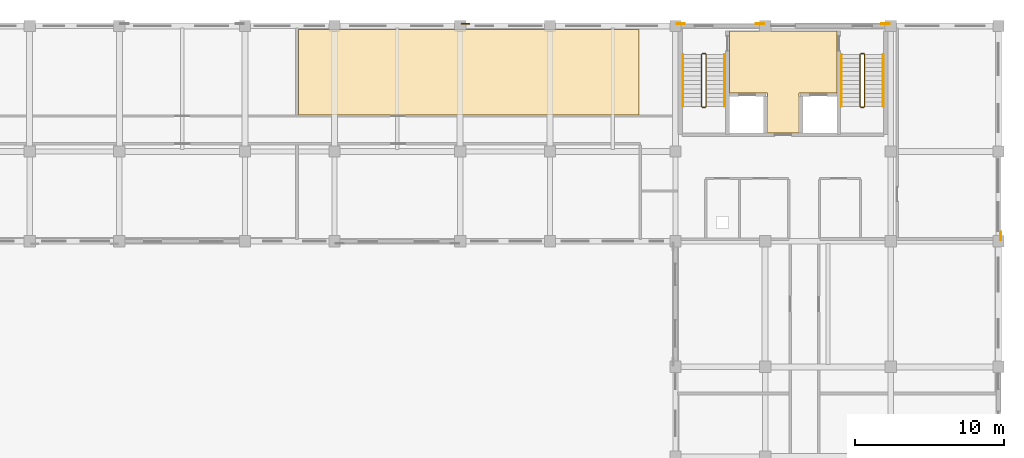
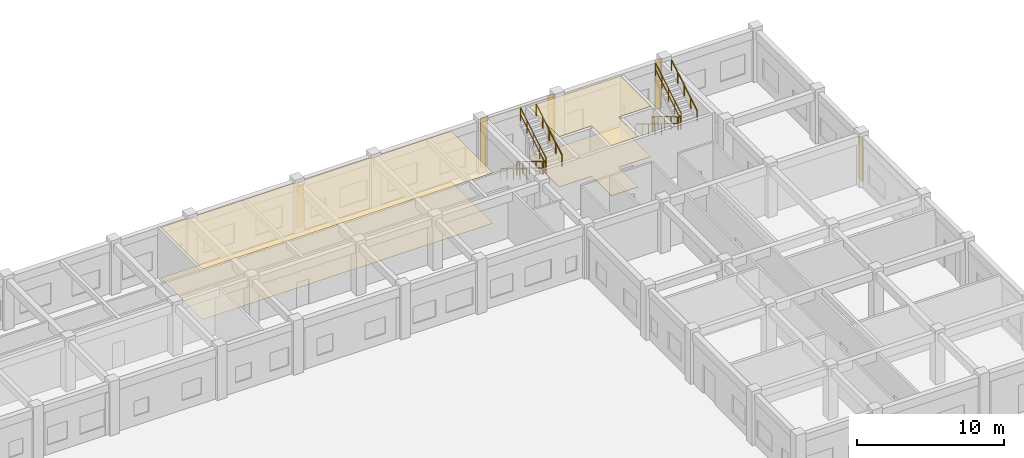
# One storey, part 66 of 67: 12 railings, 9 coverings.
"""IFC4 building model written with IfcOpenShell, lengths in metres."""

import ifcopenshell
import ifcopenshell.guid

model = None  # the IFC model being written
_history = None  # IfcOwnerHistory: only IFC2X3 demands one
_inside = {}  # id of a spatial element -> (the spatial element, [elements in it])
_under = {}  # id of a project, library or spatial element -> (it, [spatial elements below it])
_declared = {}  # id of a project -> (the project, [libraries it declares])
_typed = {}  # id of a type object -> (the type object, [elements of that type])
_made_of = {}  # id of a material, layer set ... -> (it, [elements and type objects made of it])


def new_model(schema):
    """Start an empty IFC model of exactly this schema.

    Asked for "IFC4X3", IfcOpenShell would pick the latest addendum, in which some entities
    have other attributes; the version numbers below select the first issue.
    IFC2X3 requires an IfcOwnerHistory on every rooted entity: one is made here for all.
    """
    global model, _history
    if schema == "IFC4X3":
        model = ifcopenshell.file(schema_version=(4, 3, 0, 0))
    else:
        model = ifcopenshell.file(schema=schema)
    _inside.clear()
    _under.clear()
    _declared.clear()
    _typed.clear()
    _made_of.clear()
    _history = None
    if model.schema == "IFC2X3":
        org = make("IfcOrganization", Name="unknown")
        user = make(
            "IfcPersonAndOrganization",
            ThePerson=make("IfcPerson", FamilyName="unknown"),
            TheOrganization=org,
        )
        app = make(
            "IfcApplication",
            ApplicationDeveloper=org,
            Version="unknown",
            ApplicationFullName="unknown",
            ApplicationIdentifier="unknown",
        )
        _history = make(
            "IfcOwnerHistory",
            OwningUser=user,
            OwningApplication=app,
            ChangeAction="ADDED",
            CreationDate=0,
        )
    return model


def make(cls, **values):
    """One entity of the class cls with the attributes given. An attribute that is None is left unset."""
    return model.create_entity(
        cls, **{name: value for name, value in values.items() if value is not None}
    )


def rooted(cls, **values):
    """An entity with a GlobalId (a new one), such as an element, a storey or a relation."""
    return make(cls, GlobalId=ifcopenshell.guid.new(), OwnerHistory=_history, **values)


def si_unit(unit_type, name, prefix=None):
    """IfcSIUnit, for example si_unit("LENGTHUNIT", "METRE", prefix="MILLI")."""
    return make("IfcSIUnit", UnitType=unit_type, Prefix=prefix, Name=name)


def assignment(units):
    """IfcUnitAssignment: the units of a project."""
    return None if units is None else make("IfcUnitAssignment", Units=units)


def point(xyz):
    """IfcCartesianPoint."""
    return None if xyz is None else make("IfcCartesianPoint", Coordinates=xyz)


def direction(xyz):
    """IfcDirection."""
    return None if xyz is None else make("IfcDirection", DirectionRatios=xyz)


def frame(location, z_axis=None, x_axis=None):
    """IfcAxis2Placement3D, a coordinate frame: its origin and axes. An axis left out is left unset."""
    return make(
        "IfcAxis2Placement3D",
        Location=point(location),
        Axis=direction(z_axis),
        RefDirection=direction(x_axis),
    )


def frame_2d(location, x_axis=None):
    """IfcAxis2Placement2D, a coordinate frame in the plane: its origin and x axis."""
    return make(
        "IfcAxis2Placement2D", Location=point(location), RefDirection=direction(x_axis)
    )


def origin():
    """The frame at (0, 0, 0) with its axes left unset."""
    return frame((0.0, 0.0, 0.0))


def origin_2d():
    """The frame at (0, 0) in the plane with its x axis left unset."""
    return frame_2d((0.0, 0.0))


def place(relative_to, where):
    """IfcLocalPlacement: puts the frame where relative to a parent placement (None: the world)."""
    return make(
        "IfcLocalPlacement", PlacementRelTo=relative_to, RelativePlacement=where
    )


def context(
    kind, dimensions, precision=None, world=None, true_north=None, identifier=None
):
    """IfcGeometricRepresentationContext, for example the 3D "Model" context."""
    return make(
        "IfcGeometricRepresentationContext",
        ContextIdentifier=identifier,
        ContextType=kind,
        CoordinateSpaceDimension=dimensions,
        Precision=precision,
        WorldCoordinateSystem=world,
        TrueNorth=true_north,
    )


def subcontext(parent, identifier, kind, view, scale=None):
    """IfcGeometricRepresentationSubContext, for example "Body" below "Model"."""
    return make(
        "IfcGeometricRepresentationSubContext",
        ContextIdentifier=identifier,
        ContextType=kind,
        ParentContext=parent,
        TargetScale=scale,
        TargetView=view,
    )


def project(units=None, contexts=None):
    """IfcProject with its units and contexts."""
    return rooted(
        "IfcProject",
        Name="project",
        RepresentationContexts=contexts,
        UnitsInContext=assignment(units),
    )


def spatial(cls, under=None, at=None, **own):
    """A site, building, storey or space (cls), placed at a placement, below another one or the project."""
    s = rooted(cls, ObjectPlacement=at, **own)
    if under is not None:
        _under.setdefault(under.id(), (under, []))[1].append(s)
    return s


def polyline(points):
    """IfcPolyline through the points."""
    return make("IfcPolyline", Points=[point(p) for p in points])


def profile(cls, at=None, kind="AREA", **sizes):
    """A parametric profile (cls). Its sizes go by their IFC names, for example OverallWidth=200.0."""
    return make(cls, ProfileType=kind, Position=at, **sizes)


def rectangle(**sizes):
    """IfcRectangleProfileDef."""
    return profile("IfcRectangleProfileDef", **sizes)


def outline(outer, holes=None, kind="AREA"):
    """IfcArbitraryClosedProfileDef: a profile drawn as a closed curve; with holes, ...WithVoids."""
    if holes is None:
        return make("IfcArbitraryClosedProfileDef", ProfileType=kind, OuterCurve=outer)
    return make(
        "IfcArbitraryProfileDefWithVoids",
        ProfileType=kind,
        OuterCurve=outer,
        InnerCurves=holes,
    )


def extrude(swept, where, along, depth):
    """IfcExtrudedAreaSolid: the profile swept, set in the frame where, extruded along a direction by depth."""
    return make(
        "IfcExtrudedAreaSolid",
        SweptArea=swept,
        Position=where,
        ExtrudedDirection=direction(along),
        Depth=depth,
    )


def shape(context_of_items, identifier, shape_type, items):
    """IfcShapeRepresentation: the items that make up one representation, for example the "Body"."""
    return make(
        "IfcShapeRepresentation",
        ContextOfItems=context_of_items,
        RepresentationIdentifier=identifier,
        RepresentationType=shape_type,
        Items=items,
    )


def material(Name=None, Category=None):
    """IfcMaterial."""
    return make("IfcMaterial", Name=Name, Category=Category)


def layer(
    of_material, thickness, ventilated=None, Name=None, Category=None, Priority=None
):
    """IfcMaterialLayer: one layer of a wall or slab, of a material (None: an air gap)."""
    return make(
        "IfcMaterialLayer",
        Material=of_material,
        LayerThickness=thickness,
        IsVentilated=ventilated,
        Name=Name,
        Category=Category,
        Priority=Priority,
    )


def layer_set(layers, Name=None):
    """IfcMaterialLayerSet."""
    return make("IfcMaterialLayerSet", MaterialLayers=layers, LayerSetName=Name)


def made_of(thing, what):
    """Note that an element or type object is made of a material, layer set ...; save() writes the relation."""
    if what is not None:
        _made_of.setdefault(what.id(), (what, []))[1].append(thing)
    return thing


def type_object(cls, material=None, **own):
    """A type object (cls), such as IfcWallType, which elements share."""
    return made_of(rooted(cls, **own), material)


def element(
    cls,
    number,
    at=None,
    inside=None,
    cuts=None,
    type_object=None,
    material=None,
    context=None,
    identifier="Body",
    shape_type=None,
    held_by="IfcProductDefinitionShape",
    body=None,
    shapes=None,
    **own,
):
    """One element of the class cls, such as IfcWall. Its Tag is "e" and its number.

    at: its placement. inside: the storey or other place that contains it. cuts: it is an
    opening in that element (IfcRelVoidsElement). A single representation is given by context,
    identifier, shape_type and body (its items); several are given by shapes. held_by: the class
    of the entity that holds the representations. save() writes the other relations.
    """
    e = rooted(cls, Tag="e%d" % number, ObjectPlacement=at, **own)
    if body is not None:
        shapes = [shape(context, identifier, shape_type, body)]
    if shapes is not None:
        e.Representation = make(held_by, Representations=shapes)
    if inside is not None:
        _inside.setdefault(inside.id(), (inside, []))[1].append(e)
    if cuts is not None:
        rooted(
            "IfcRelVoidsElement", RelatingBuildingElement=cuts, RelatedOpeningElement=e
        )
    if type_object is not None:
        _typed.setdefault(type_object.id(), (type_object, []))[1].append(e)
    return made_of(e, material)


def aggregate(whole, parts):
    """IfcRelAggregates: a whole, such as a stair, and the parts it consists of."""
    return rooted("IfcRelAggregates", RelatingObject=whole, RelatedObjects=parts)


def save(model, path):
    """Write the relations noted so far, then the file.

    IfcRelAggregates (storeys below a building ...), IfcRelContainedInSpatialStructure (elements
    in a storey), IfcRelDefinesByType, IfcRelAssociatesMaterial and IfcRelDeclares: one each for
    every whole, place, type object, material and project.
    """
    for whole, parts in _under.values():
        aggregate(whole, parts)
    for where, things in _inside.values():
        rooted(
            "IfcRelContainedInSpatialStructure",
            RelatedElements=things,
            RelatingStructure=where,
        )
    for kind, things in _typed.values():
        rooted("IfcRelDefinesByType", RelatedObjects=things, RelatingType=kind)
    for what, things in _made_of.values():
        rooted("IfcRelAssociatesMaterial", RelatedObjects=things, RelatingMaterial=what)
    for by, libraries in _declared.values():
        rooted("IfcRelDeclares", RelatingContext=by, RelatedDefinitions=libraries)
    model.write(path)


model = new_model("IFC4")

# Units and contexts
model_context = context("Model", 3, precision=1e-05, world=origin(), true_north=direction((0.0, 1.0)))
body_context = subcontext(model_context, "Body", "Model", "MODEL_VIEW")
ifc_project = project(units=[si_unit("LENGTHUNIT", "METRE"), si_unit("AREAUNIT", "SQUARE_METRE"), si_unit("VOLUMEUNIT", "CUBIC_METRE"), si_unit("PLANEANGLEUNIT", "RADIAN"), si_unit("MASSUNIT", "GRAM", prefix="KILO"), si_unit("THERMODYNAMICTEMPERATUREUNIT", "KELVIN")], contexts=[model_context])

# Site, building, storey
site_placement = place(None, origin())
site = spatial("IfcSite", under=ifc_project, at=site_placement, CompositionType="ELEMENT")
building_placement = place(site_placement, origin())
building = spatial("IfcBuilding", under=site, at=building_placement, Name="Thalorik Housing Commons", CompositionType="ELEMENT")
storey_placement = place(building_placement, origin())
storey = spatial("IfcBuildingStorey", under=building, at=storey_placement, Name="L00", CompositionType="ELEMENT", Elevation=0.0)

# Coverings
ifc_material_1 = material(Name="Cobalt blue glazed ceramic facade tile panel", Category="masonry")
ifc_layer_1 = layer(ifc_material_1, 0.06005859375, Name="Cobalt blue glazed ceramic facade tile panel", Category="masonry")
ifc_layer_set_1 = layer_set([ifc_layer_1], Name="Cobalt blue glazed ceramic facade tile panel")
covering_type_1 = type_object("IfcCoveringType", Name="ARC-CLD-BLU-60", PredefinedType="CLADDING", material=ifc_layer_set_1)
for number, where, z_axis, x_axis, name in (
    (1, (158.050048828125, 123.74951171875, 0.050048828125), (0.0, 0.0, 1.0), (-1.0, 0.0, 0.0), "L00 Architectural Facade Cladding 1476"),
    (2, (152.75, 123.74951171875, 0.050048828125), (0.0, 0.0, 1.0), (-1.0, 0.0, 0.0), "L00 Architectural Facade Cladding 1477"),
):
    element("IfcCovering", number, at=place(storey_placement, frame(where, z_axis=z_axis, x_axis=x_axis)), inside=storey, type_object=covering_type_1, Name=name, PredefinedType="CLADDING", context=body_context, shape_type="SweptSolid", body=[
        extrude(rectangle(XDim=0.550048828125, YDim=0.06005859375, at=origin_2d()), origin(), (0.0, 0.0, 1.0), 4.10009765625),
    ])
ifc_material_2 = material(Name="Precast concrete C40/50", Category="concrete")
ifc_layer_2 = layer(ifc_material_2, 0.074951171875, Name="Precast concrete C40/50", Category="concrete")
ifc_layer_set_2 = layer_set([ifc_layer_2], Name="Precast concrete C40/50")
covering_type_2 = type_object("IfcCoveringType", Name="ARC-CLD-PIER-75", PredefinedType="CLADDING", material=ifc_layer_set_2)
covering_1_placement = place(storey_placement, frame((138.35009765625, 123.757080078125, 0.0498046875), z_axis=(0.0, 0.0, 1.0), x_axis=(-1.0, 0.0, 0.0)))
element("IfcCovering", 3, at=covering_1_placement, inside=storey, type_object=covering_type_2, Name="L00 Architectural Facade Cladding 1478", PredefinedType="CLADDING", context=body_context, shape_type="SweptSolid", body=[
    extrude(rectangle(XDim=0.550048828125, YDim=0.074951171875, at=origin_2d()), origin(), (0.0, 0.0, 1.0), 3.485107421875),
])
ifc_material_3 = material(Name="Terracotta red mineral fibre-cement panel", Category="masonry")
ifc_layer_3 = layer(ifc_material_3, 0.054931640625, Name="Terracotta red mineral fibre-cement panel", Category="masonry")
ifc_layer_set_3 = layer_set([ifc_layer_3], Name="Terracotta red mineral fibre-cement panel")
covering_type_3 = type_object("IfcCoveringType", Name="ARC-CLD-RED-55", PredefinedType="CLADDING", material=ifc_layer_set_3)
covering_2_placement = place(storey_placement, frame((166.449951171875, 123.7470703125, 0.050048828125), z_axis=(0.0, 0.0, 1.0), x_axis=(-1.0, 0.0, 0.0)))
element("IfcCovering", 4, at=covering_2_placement, inside=storey, type_object=covering_type_3, Name="L00 Architectural Facade Cladding 1475", PredefinedType="CLADDING", context=body_context, shape_type="SweptSolid", body=[
    extrude(rectangle(XDim=0.550048828125, YDim=0.054931640625, at=origin_2d()), origin(), (0.0, 0.0, 1.0), 4.10009765625),
])
ifc_material_4 = material(Name="Mineral ochre architectural terracotta panel", Category="masonry")
ifc_layer_4 = layer(ifc_material_4, 0.06494140625, Name="Mineral ochre architectural terracotta panel", Category="masonry")
ifc_layer_set_4 = layer_set([ifc_layer_4], Name="Mineral ochre architectural terracotta panel")
covering_type_4 = type_object("IfcCoveringType", Name="ARC-CLD-YEL-65", PredefinedType="CLADDING", material=ifc_layer_set_4)
covering_3_placement = place(storey_placement, frame((174.152099609375, 109.550048828125, 0.0498046875), z_axis=(0.0, 0.0, 1.0), x_axis=(0.0, 1.0, 0.0)))
element("IfcCovering", 5, at=covering_3_placement, inside=storey, type_object=covering_type_4, Name="L00 Architectural Facade Cladding 1474", PredefinedType="CLADDING", context=body_context, shape_type="SweptSolid", body=[
    extrude(rectangle(XDim=0.550048828125, YDim=0.06494140625, at=origin_2d()), origin(), (0.0, 0.0, 1.0), 3.485107421875),
])
ifc_material_5 = material(Name="Perforated acoustic gypsum ceiling board")
ifc_layer_5 = layer(ifc_material_5, 0.014892578125, Name="Perforated acoustic gypsum ceiling board")
ifc_layer_set_5 = layer_set([ifc_layer_5], Name="Perforated acoustic gypsum ceiling board")
covering_type_5 = type_object("IfcCoveringType", Name="ARC-COV-CEIL-01", PredefinedType="CEILING", material=ifc_layer_set_5)
covering_4_placement = place(storey_placement, frame((0.0, 0.0, 4.18505859375)))
element("IfcCovering", 6, at=covering_4_placement, inside=storey, type_object=covering_type_5, Name="L00 Senior Day Lounge Suspended Ceiling", PredefinedType="CEILING", context=body_context, shape_type="SweptSolid", body=[
    extrude(outline(polyline([(149.969970703125, 117.659912109375), (149.969970703125, 123.360107421875), (127.169921875, 123.360107421875), (127.169921875, 117.659912109375), (149.969970703125, 117.659912109375)])), origin(), (0.0, 0.0, 1.0), 0.014892578125),
])
ifc_material_6 = material(Name="Moisture-resistant gypsum bathroom ceiling")
ifc_layer_6 = layer(ifc_material_6, 0.02490234375, Name="Moisture-resistant gypsum bathroom ceiling")
ifc_layer_set_6 = layer_set([ifc_layer_6], Name="Moisture-resistant gypsum bathroom ceiling")
covering_type_6 = type_object("IfcCoveringType", Name="ARC-COV-CEIL-04", PredefinedType="CEILING", material=ifc_layer_set_6)
covering_5_placement = place(storey_placement, frame((0.0, 0.0, 4.175048828125)))
element("IfcCovering", 7, at=covering_5_placement, inside=storey, type_object=covering_type_6, Name="L00 Block B Firefighting Lift Lobby Suspended Ceiling", PredefinedType="CEILING", context=body_context, shape_type="SweptSolid", body=[
    extrude(outline(polyline([(158.550048828125, 116.449951171875), (160.64990234375, 116.449951171875), (160.650146484375, 119.1201171875), (163.199951171875, 119.1201171875), (163.199951171875, 123.25), (156.0, 123.25), (156.0, 119.1201171875), (158.550048828125, 119.1201171875), (158.550048828125, 116.449951171875)])), origin(), (0.0, 0.0, 1.0), 0.02490234375),
])
ifc_material_7 = material(Name="Glazed Recife ceramic apartment floor tile")
ifc_layer_7 = layer(ifc_material_7, 0.011962890625, Name="Glazed Recife ceramic apartment floor tile")
ifc_layer_set_7 = layer_set([ifc_layer_7], Name="Glazed Recife ceramic apartment floor tile")
covering_type_7 = type_object("IfcCoveringType", Name="ARC-COV-FLR-01", PredefinedType="FLOORING", material=ifc_layer_set_7)
covering_6_placement = place(storey_placement, origin())
element("IfcCovering", 8, at=covering_6_placement, inside=storey, type_object=covering_type_7, Name="L00 Senior Day Lounge Flooring", PredefinedType="FLOORING", context=body_context, shape_type="SweptSolid", body=[
    extrude(outline(polyline([(149.969970703125, 117.659912109375), (149.969970703125, 123.360107421875), (127.169921875, 123.360107421875), (127.169921875, 117.659912109375), (149.969970703125, 117.659912109375)])), origin(), (0.0, 0.0, 1.0), 0.011962890625),
])
ifc_material_8 = material(Name="Sprung Brazilian oak assembly hall timber floor", Category="wood")
ifc_layer_8 = layer(ifc_material_8, 0.02392578125, Name="Sprung Brazilian oak assembly hall timber floor", Category="wood")
ifc_layer_set_8 = layer_set([ifc_layer_8], Name="Sprung Brazilian oak assembly hall timber floor")
covering_type_8 = type_object("IfcCoveringType", Name="ARC-COV-FLR-04", PredefinedType="FLOORING", material=ifc_layer_set_8)
covering_7_placement = place(storey_placement, origin())
element("IfcCovering", 9, at=covering_7_placement, inside=storey, type_object=covering_type_8, Name="L00 Block B Firefighting Lift Lobby Flooring", PredefinedType="FLOORING", context=body_context, shape_type="SweptSolid", body=[
    extrude(outline(polyline([(158.550048828125, 116.449951171875), (160.64990234375, 116.449951171875), (160.650146484375, 119.1201171875), (163.199951171875, 119.1201171875), (163.199951171875, 123.25), (156.0, 123.25), (156.0, 119.1201171875), (158.550048828125, 119.1201171875), (158.550048828125, 116.449951171875)])), origin(), (0.0, 0.0, 1.0), 0.02392578125),
])

# Railings
ifc_material_9 = material(Name="Steel S355", Category="steel")
railing_type_1 = type_object("IfcRailingType", Name="ARC-RL-STR-GRD110", PredefinedType="GUARDRAIL", material=ifc_material_9)
railing_1_placement = place(storey_placement, frame((154.14990234375, 121.699951171875, 0.173095703125)))
element("IfcRailing", 10, at=railing_1_placement, inside=storey, type_object=railing_type_1, Name="L00 ST-B1 stair guard 1", PredefinedType="GUARDRAIL", context=body_context, shape_type="SweptSolid", body=[
    extrude(rectangle(XDim=0.048095703125, YDim=0.048095703125, at=origin_2d()), frame((0.0, 0.0, 1.076171875), z_axis=(0.0, -0.858697190188, 0.512483302717), x_axis=(1.0, 0.0, 0.0)), (0.0, 0.0, 1.0), 4.052734375),
    extrude(rectangle(XDim=0.048095703125, YDim=0.048095703125, at=origin_2d()), frame((0.0, 0.0, 0.52587890625), z_axis=(0.0, -0.858697190188, 0.512483302717), x_axis=(1.0, 0.0, 0.0)), (0.0, 0.0, 1.0), 4.052734375),
    extrude(rectangle(XDim=0.0419921875, YDim=0.0419921875, at=origin_2d()), origin(), (0.0, 0.0, 1.0), 1.052001953125),
    extrude(rectangle(XDim=0.0419921875, YDim=0.0419921875, at=origin_2d()), frame((0.0, -0.8701171875, 0.519287109375)), (0.0, 0.0, 1.0), 1.052001953125),
    extrude(rectangle(XDim=0.0419921875, YDim=0.0419921875, at=origin_2d()), frame((0.0, -1.739990234375, 1.03857421875)), (0.0, 0.0, 1.0), 1.052001953125),
    extrude(rectangle(XDim=0.0419921875, YDim=0.0419921875, at=origin_2d()), frame((0.0, -2.60986328125, 1.5576171875)), (0.0, 0.0, 1.0), 1.052001953125),
    extrude(rectangle(XDim=0.0419921875, YDim=0.0419921875, at=origin_2d()), frame((0.0, -3.47998046875, 2.076904296875)), (0.0, 0.0, 1.0), 1.052001953125),
])
railing_2_placement = place(storey_placement, frame((154.199951171875, 118.169921875, 2.25)))
element("IfcRailing", 11, at=railing_2_placement, inside=storey, type_object=railing_type_1, Name="L00 ST-B1 stair guard 2", PredefinedType="GUARDRAIL", context=body_context, shape_type="SweptSolid", body=[
    extrude(rectangle(XDim=0.048095703125, YDim=0.048095703125, at=origin_2d()), frame((0.0, 0.0, 1.076171875), z_axis=(1.0, 0.0, 0.0), x_axis=(0.0, 1.0, 0.0)), (0.0, 0.0, 1.0), 0.199951171875),
    extrude(rectangle(XDim=0.048095703125, YDim=0.048095703125, at=origin_2d()), frame((0.0, 0.0, 0.52587890625), z_axis=(1.0, 0.0, 0.0), x_axis=(0.0, 1.0, 0.0)), (0.0, 0.0, 1.0), 0.199951171875),
    extrude(rectangle(XDim=0.0419921875, YDim=0.0419921875, at=origin_2d()), origin(), (0.0, 0.0, 1.0), 1.052001953125),
    extrude(rectangle(XDim=0.0419921875, YDim=0.0419921875, at=origin_2d()), frame((0.199951171875, 0.0, 0.0)), (0.0, 0.0, 1.0), 1.052001953125),
])
railing_3_placement = place(storey_placement, frame((154.449951171875, 118.219970703125, 2.423095703125)))
element("IfcRailing", 12, at=railing_3_placement, inside=storey, type_object=railing_type_1, Name="L00 ST-B1 stair guard 3", PredefinedType="GUARDRAIL", context=body_context, shape_type="SweptSolid", body=[
    extrude(rectangle(XDim=0.048095703125, YDim=0.048095703125, at=origin_2d()), frame((0.0, 0.0, 1.076171875), z_axis=(0.0, 0.858697190188, 0.512483302717), x_axis=(-1.0, 0.0, 0.0)), (0.0, 0.0, 1.0), 4.052734375),
    extrude(rectangle(XDim=0.048095703125, YDim=0.048095703125, at=origin_2d()), frame((0.0, 0.0, 0.52587890625), z_axis=(0.0, 0.858697190188, 0.512483302717), x_axis=(-1.0, 0.0, 0.0)), (0.0, 0.0, 1.0), 4.052734375),
    extrude(rectangle(XDim=0.0419921875, YDim=0.0419921875, at=origin_2d()), origin(), (0.0, 0.0, 1.0), 1.052001953125),
    extrude(rectangle(XDim=0.0419921875, YDim=0.0419921875, at=origin_2d()), frame((0.0, 0.8701171875, 0.519287109375)), (0.0, 0.0, 1.0), 1.052001953125),
    extrude(rectangle(XDim=0.0419921875, YDim=0.0419921875, at=origin_2d()), frame((0.0, 1.739990234375, 1.03857421875)), (0.0, 0.0, 1.0), 1.052001953125),
    extrude(rectangle(XDim=0.0419921875, YDim=0.0419921875, at=origin_2d()), frame((0.0, 2.60986328125, 1.5576171875)), (0.0, 0.0, 1.0), 1.052001953125),
    extrude(rectangle(XDim=0.0419921875, YDim=0.0419921875, at=origin_2d()), frame((0.0, 3.47998046875, 2.076904296875)), (0.0, 0.0, 1.0), 1.052001953125),
])
railing_4_placement = place(storey_placement, frame((154.199951171875, 121.75, 0.0)))
element("IfcRailing", 13, at=railing_4_placement, inside=storey, type_object=railing_type_1, Name="L00 ST-B1 stair guard 4", PredefinedType="GUARDRAIL", context=body_context, shape_type="SweptSolid", body=[
    extrude(rectangle(XDim=0.048095703125, YDim=0.048095703125, at=origin_2d()), frame((0.0, 0.0, 1.076171875), z_axis=(1.0, 0.0, 0.0), x_axis=(0.0, 1.0, 0.0)), (0.0, 0.0, 1.0), 0.199951171875),
    extrude(rectangle(XDim=0.048095703125, YDim=0.048095703125, at=origin_2d()), frame((0.0, 0.0, 0.52587890625), z_axis=(1.0, 0.0, 0.0), x_axis=(0.0, 1.0, 0.0)), (0.0, 0.0, 1.0), 0.199951171875),
    extrude(rectangle(XDim=0.0419921875, YDim=0.0419921875, at=origin_2d()), origin(), (0.0, 0.0, 1.0), 1.052001953125),
    extrude(rectangle(XDim=0.0419921875, YDim=0.0419921875, at=origin_2d()), frame((0.199951171875, 0.0, 0.0)), (0.0, 0.0, 1.0), 1.052001953125),
])
railing_5_placement = place(storey_placement, frame((164.75, 121.699951171875, 0.173095703125)))
element("IfcRailing", 14, at=railing_5_placement, inside=storey, type_object=railing_type_1, Name="L00 ST-B2 stair guard 1", PredefinedType="GUARDRAIL", context=body_context, shape_type="SweptSolid", body=[
    extrude(rectangle(XDim=0.048095703125, YDim=0.048095703125, at=origin_2d()), frame((0.0, 0.0, 1.076171875), z_axis=(0.0, -0.858697190188, 0.512483302717), x_axis=(1.0, 0.0, 0.0)), (0.0, 0.0, 1.0), 4.052734375),
    extrude(rectangle(XDim=0.048095703125, YDim=0.048095703125, at=origin_2d()), frame((0.0, 0.0, 0.52587890625), z_axis=(0.0, -0.858697190188, 0.512483302717), x_axis=(1.0, 0.0, 0.0)), (0.0, 0.0, 1.0), 4.052734375),
    extrude(rectangle(XDim=0.0419921875, YDim=0.0419921875, at=origin_2d()), origin(), (0.0, 0.0, 1.0), 1.052001953125),
    extrude(rectangle(XDim=0.0419921875, YDim=0.0419921875, at=origin_2d()), frame((0.0, -0.8701171875, 0.519287109375)), (0.0, 0.0, 1.0), 1.052001953125),
    extrude(rectangle(XDim=0.0419921875, YDim=0.0419921875, at=origin_2d()), frame((0.0, -1.739990234375, 1.03857421875)), (0.0, 0.0, 1.0), 1.052001953125),
    extrude(rectangle(XDim=0.0419921875, YDim=0.0419921875, at=origin_2d()), frame((0.0, -2.60986328125, 1.5576171875)), (0.0, 0.0, 1.0), 1.052001953125),
    extrude(rectangle(XDim=0.0419921875, YDim=0.0419921875, at=origin_2d()), frame((0.0, -3.47998046875, 2.076904296875)), (0.0, 0.0, 1.0), 1.052001953125),
])
railing_6_placement = place(storey_placement, frame((164.800048828125, 118.169921875, 2.25)))
element("IfcRailing", 15, at=railing_6_placement, inside=storey, type_object=railing_type_1, Name="L00 ST-B2 stair guard 2", PredefinedType="GUARDRAIL", context=body_context, shape_type="SweptSolid", body=[
    extrude(rectangle(XDim=0.048095703125, YDim=0.048095703125, at=origin_2d()), frame((0.0, 0.0, 1.076171875), z_axis=(1.0, 0.0, 0.0), x_axis=(0.0, 1.0, 0.0)), (0.0, 0.0, 1.0), 0.199951171875),
    extrude(rectangle(XDim=0.048095703125, YDim=0.048095703125, at=origin_2d()), frame((0.0, 0.0, 0.52587890625), z_axis=(1.0, 0.0, 0.0), x_axis=(0.0, 1.0, 0.0)), (0.0, 0.0, 1.0), 0.199951171875),
    extrude(rectangle(XDim=0.0419921875, YDim=0.0419921875, at=origin_2d()), origin(), (0.0, 0.0, 1.0), 1.052001953125),
    extrude(rectangle(XDim=0.0419921875, YDim=0.0419921875, at=origin_2d()), frame((0.199951171875, 0.0, 0.0)), (0.0, 0.0, 1.0), 1.052001953125),
])
railing_7_placement = place(storey_placement, frame((165.050048828125, 118.219970703125, 2.423095703125)))
element("IfcRailing", 16, at=railing_7_placement, inside=storey, type_object=railing_type_1, Name="L00 ST-B2 stair guard 3", PredefinedType="GUARDRAIL", context=body_context, shape_type="SweptSolid", body=[
    extrude(rectangle(XDim=0.048095703125, YDim=0.048095703125, at=origin_2d()), frame((0.0, 0.0, 1.076171875), z_axis=(0.0, 0.858697190188, 0.512483302717), x_axis=(-1.0, 0.0, 0.0)), (0.0, 0.0, 1.0), 4.052734375),
    extrude(rectangle(XDim=0.048095703125, YDim=0.048095703125, at=origin_2d()), frame((0.0, 0.0, 0.52587890625), z_axis=(0.0, 0.858697190188, 0.512483302717), x_axis=(-1.0, 0.0, 0.0)), (0.0, 0.0, 1.0), 4.052734375),
    extrude(rectangle(XDim=0.0419921875, YDim=0.0419921875, at=origin_2d()), origin(), (0.0, 0.0, 1.0), 1.052001953125),
    extrude(rectangle(XDim=0.0419921875, YDim=0.0419921875, at=origin_2d()), frame((0.0, 0.8701171875, 0.519287109375)), (0.0, 0.0, 1.0), 1.052001953125),
    extrude(rectangle(XDim=0.0419921875, YDim=0.0419921875, at=origin_2d()), frame((0.0, 1.739990234375, 1.03857421875)), (0.0, 0.0, 1.0), 1.052001953125),
    extrude(rectangle(XDim=0.0419921875, YDim=0.0419921875, at=origin_2d()), frame((0.0, 2.60986328125, 1.5576171875)), (0.0, 0.0, 1.0), 1.052001953125),
    extrude(rectangle(XDim=0.0419921875, YDim=0.0419921875, at=origin_2d()), frame((0.0, 3.47998046875, 2.076904296875)), (0.0, 0.0, 1.0), 1.052001953125),
])
railing_8_placement = place(storey_placement, frame((164.800048828125, 121.75, 0.0)))
element("IfcRailing", 17, at=railing_8_placement, inside=storey, type_object=railing_type_1, Name="L00 ST-B2 stair guard 4", PredefinedType="GUARDRAIL", context=body_context, shape_type="SweptSolid", body=[
    extrude(rectangle(XDim=0.048095703125, YDim=0.048095703125, at=origin_2d()), frame((0.0, 0.0, 1.076171875), z_axis=(1.0, 0.0, 0.0), x_axis=(0.0, 1.0, 0.0)), (0.0, 0.0, 1.0), 0.199951171875),
    extrude(rectangle(XDim=0.048095703125, YDim=0.048095703125, at=origin_2d()), frame((0.0, 0.0, 0.52587890625), z_axis=(1.0, 0.0, 0.0), x_axis=(0.0, 1.0, 0.0)), (0.0, 0.0, 1.0), 0.199951171875),
    extrude(rectangle(XDim=0.0419921875, YDim=0.0419921875, at=origin_2d()), origin(), (0.0, 0.0, 1.0), 1.052001953125),
    extrude(rectangle(XDim=0.0419921875, YDim=0.0419921875, at=origin_2d()), frame((0.199951171875, 0.0, 0.0)), (0.0, 0.0, 1.0), 1.052001953125),
])
railing_type_2 = type_object("IfcRailingType", Name="ARC-RL-STR-HR092", PredefinedType="HANDRAIL", material=ifc_material_9)
railing_9_placement = place(storey_placement, frame((152.89990234375, 121.699951171875, 0.173095703125)))
element("IfcRailing", 18, at=railing_9_placement, inside=storey, type_object=railing_type_2, Name="L00 ST-B1 stair handrail 1", PredefinedType="HANDRAIL", context=body_context, shape_type="SweptSolid", body=[
    extrude(rectangle(XDim=0.048095703125, YDim=0.048095703125, at=origin_2d()), frame((0.0, 0.0, 0.89599609375), z_axis=(0.0, -0.858697190188, 0.512483302717), x_axis=(1.0, 0.0, 0.0)), (0.0, 0.0, 1.0), 4.052734375),
    extrude(rectangle(XDim=0.0419921875, YDim=0.0419921875, at=origin_2d()), origin(), (0.0, 0.0, 1.0), 0.871826171875),
    extrude(rectangle(XDim=0.0419921875, YDim=0.0419921875, at=origin_2d()), frame((0.0, -0.8701171875, 0.519287109375)), (0.0, 0.0, 1.0), 0.871826171875),
    extrude(rectangle(XDim=0.0419921875, YDim=0.0419921875, at=origin_2d()), frame((0.0, -1.739990234375, 1.03857421875)), (0.0, 0.0, 1.0), 0.871826171875),
    extrude(rectangle(XDim=0.0419921875, YDim=0.0419921875, at=origin_2d()), frame((0.0, -2.60986328125, 1.5576171875)), (0.0, 0.0, 1.0), 0.871826171875),
    extrude(rectangle(XDim=0.0419921875, YDim=0.0419921875, at=origin_2d()), frame((0.0, -3.47998046875, 2.076904296875)), (0.0, 0.0, 1.0), 0.871826171875),
])
railing_10_placement = place(storey_placement, frame((155.699951171875, 118.219970703125, 2.423095703125)))
element("IfcRailing", 19, at=railing_10_placement, inside=storey, type_object=railing_type_2, Name="L00 ST-B1 stair handrail 2", PredefinedType="HANDRAIL", context=body_context, shape_type="SweptSolid", body=[
    extrude(rectangle(XDim=0.048095703125, YDim=0.048095703125, at=origin_2d()), frame((0.0, 0.0, 0.89599609375), z_axis=(0.0, 0.858697190188, 0.512483302717), x_axis=(-1.0, 0.0, 0.0)), (0.0, 0.0, 1.0), 4.052734375),
    extrude(rectangle(XDim=0.0419921875, YDim=0.0419921875, at=origin_2d()), origin(), (0.0, 0.0, 1.0), 0.871826171875),
    extrude(rectangle(XDim=0.0419921875, YDim=0.0419921875, at=origin_2d()), frame((0.0, 0.8701171875, 0.519287109375)), (0.0, 0.0, 1.0), 0.871826171875),
    extrude(rectangle(XDim=0.0419921875, YDim=0.0419921875, at=origin_2d()), frame((0.0, 1.739990234375, 1.03857421875)), (0.0, 0.0, 1.0), 0.871826171875),
    extrude(rectangle(XDim=0.0419921875, YDim=0.0419921875, at=origin_2d()), frame((0.0, 2.60986328125, 1.5576171875)), (0.0, 0.0, 1.0), 0.871826171875),
    extrude(rectangle(XDim=0.0419921875, YDim=0.0419921875, at=origin_2d()), frame((0.0, 3.47998046875, 2.076904296875)), (0.0, 0.0, 1.0), 0.871826171875),
])
railing_11_placement = place(storey_placement, frame((163.5, 121.699951171875, 0.173095703125)))
element("IfcRailing", 20, at=railing_11_placement, inside=storey, type_object=railing_type_2, Name="L00 ST-B2 stair handrail 1", PredefinedType="HANDRAIL", context=body_context, shape_type="SweptSolid", body=[
    extrude(rectangle(XDim=0.048095703125, YDim=0.048095703125, at=origin_2d()), frame((0.0, 0.0, 0.89599609375), z_axis=(0.0, -0.858697190188, 0.512483302717), x_axis=(1.0, 0.0, 0.0)), (0.0, 0.0, 1.0), 4.052734375),
    extrude(rectangle(XDim=0.0419921875, YDim=0.0419921875, at=origin_2d()), origin(), (0.0, 0.0, 1.0), 0.871826171875),
    extrude(rectangle(XDim=0.0419921875, YDim=0.0419921875, at=origin_2d()), frame((0.0, -0.8701171875, 0.519287109375)), (0.0, 0.0, 1.0), 0.871826171875),
    extrude(rectangle(XDim=0.0419921875, YDim=0.0419921875, at=origin_2d()), frame((0.0, -1.739990234375, 1.03857421875)), (0.0, 0.0, 1.0), 0.871826171875),
    extrude(rectangle(XDim=0.0419921875, YDim=0.0419921875, at=origin_2d()), frame((0.0, -2.60986328125, 1.5576171875)), (0.0, 0.0, 1.0), 0.871826171875),
    extrude(rectangle(XDim=0.0419921875, YDim=0.0419921875, at=origin_2d()), frame((0.0, -3.47998046875, 2.076904296875)), (0.0, 0.0, 1.0), 0.871826171875),
])
railing_12_placement = place(storey_placement, frame((166.300048828125, 118.219970703125, 2.423095703125)))
element("IfcRailing", 21, at=railing_12_placement, inside=storey, type_object=railing_type_2, Name="L00 ST-B2 stair handrail 2", PredefinedType="HANDRAIL", context=body_context, shape_type="SweptSolid", body=[
    extrude(rectangle(XDim=0.048095703125, YDim=0.048095703125, at=origin_2d()), frame((0.0, 0.0, 0.89599609375), z_axis=(0.0, 0.858697190188, 0.512483302717), x_axis=(-1.0, 0.0, 0.0)), (0.0, 0.0, 1.0), 4.052734375),
    extrude(rectangle(XDim=0.0419921875, YDim=0.0419921875, at=origin_2d()), origin(), (0.0, 0.0, 1.0), 0.871826171875),
    extrude(rectangle(XDim=0.0419921875, YDim=0.0419921875, at=origin_2d()), frame((0.0, 0.8701171875, 0.519287109375)), (0.0, 0.0, 1.0), 0.871826171875),
    extrude(rectangle(XDim=0.0419921875, YDim=0.0419921875, at=origin_2d()), frame((0.0, 1.739990234375, 1.03857421875)), (0.0, 0.0, 1.0), 0.871826171875),
    extrude(rectangle(XDim=0.0419921875, YDim=0.0419921875, at=origin_2d()), frame((0.0, 2.60986328125, 1.5576171875)), (0.0, 0.0, 1.0), 0.871826171875),
    extrude(rectangle(XDim=0.0419921875, YDim=0.0419921875, at=origin_2d()), frame((0.0, 3.47998046875, 2.076904296875)), (0.0, 0.0, 1.0), 0.871826171875),
])

save(model, "model.ifc")
